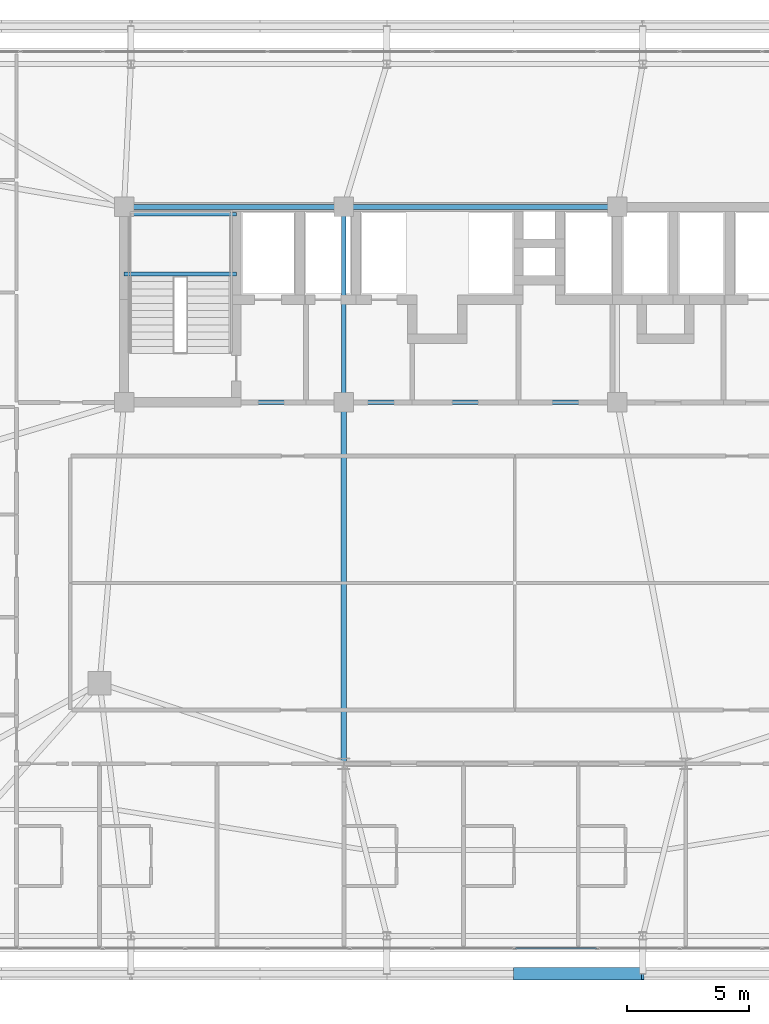
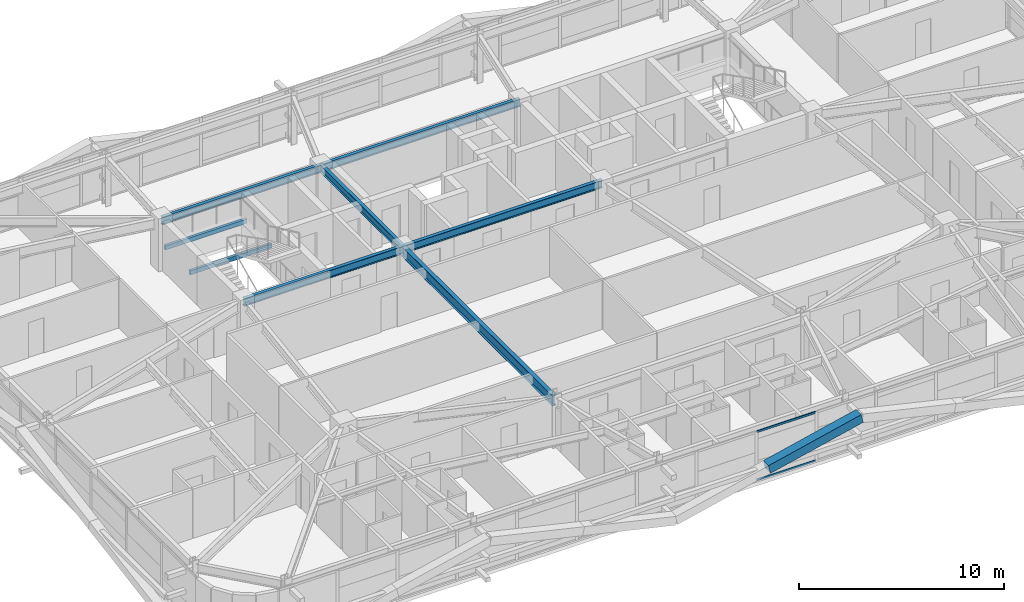
# One storey, part 19 of 59: 8 beams, 3 members, 1 element without a shape of its own.
"""IFC4 building model written with IfcOpenShell, lengths in metres."""

from ifc_helpers import new_model, si_unit, direction, frame, origin, origin_2d, place, context, subcontext, project, spatial, hollow_rectangle, i_section, extrude, source, transform, mapped, material, layer, layer_set, material_profile, profile_set, type_object, element, aggregate, save


model = new_model("IFC4")

# Units and contexts
model_context = context("Model", 3, precision=1e-05, world=origin(), true_north=direction((0.0, 1.0)))
body_context = subcontext(model_context, "Body", "Model", "MODEL_VIEW")
ifc_project = project(units=[si_unit("LENGTHUNIT", "METRE"), si_unit("AREAUNIT", "SQUARE_METRE"), si_unit("VOLUMEUNIT", "CUBIC_METRE"), si_unit("PLANEANGLEUNIT", "RADIAN"), si_unit("MASSUNIT", "GRAM", prefix="KILO")], contexts=[model_context])

# Site, building, storey
site_placement = place(None, origin())
site = spatial("IfcSite", under=ifc_project, at=site_placement, CompositionType="ELEMENT")
building_placement = place(site_placement, origin())
building = spatial("IfcBuilding", under=site, at=building_placement, Name="Taldren Reach Tower", CompositionType="ELEMENT")
storey_placement = place(building_placement, frame((0.0, 0.0, 23.10009765625)))
storey = spatial("IfcBuildingStorey", under=building, at=storey_placement, Name="L06", CompositionType="ELEMENT", Elevation=23.10009765625)

# Beams
ifc_material_1 = material(Name="Steel Gr 350 (350PLUS)", Category="steel")
ifc_material_profile_1 = material_profile(ifc_material_1, i_section(OverallWidth=0.19091796875, OverallDepth=0.4599609375, WebThickness=0.010009765625, FlangeThickness=0.01611328125, at=origin_2d()), Name="460UB82.1")
ifc_profile_set_1 = profile_set([ifc_material_profile_1], Name="Steel Gr 350 (350PLUS)")
beam_type_1 = type_object("IfcBeamType", Name="BM-UB460A", PredefinedType="BEAM", material=ifc_profile_set_1)
shared_shape_1 = source(origin(), body_context, "Body", "SweptSolid", [
    extrude(i_section(OverallWidth=0.19091796875, OverallDepth=0.4599609375, WebThickness=0.010009765625, FlangeThickness=0.01611328125, at=origin_2d()), origin(), (0.0, 0.0, 1.0), 9.0),
])
for number, where, z_axis, x_axis, name in (
    (1, (19.0, 24.0, 2.699951171875), (1.0, 0.0, 0.0), (0.0, 1.0, 0.0), "Core-spine girder L06-SP01"),
    (2, (19.0, 32.0, 2.699951171875), (1.0, 0.0, 0.0), (0.0, 1.0, 0.0), "Core-spine girder L06-SP04"),
):
    element("IfcBeam", number, at=place(storey_placement, frame(where, z_axis=z_axis, x_axis=x_axis)), inside=storey, type_object=beam_type_1, Name=name, PredefinedType="BEAM", context=body_context, shape_type="MappedRepresentation", body=[
        mapped(shared_shape_1, transform((0.0, 0.0, 0.0), scale=1.0)),
    ])
shared_shape_2 = source(origin(), body_context, "Body", "SweptSolid", [
    extrude(i_section(OverallWidth=0.19091796875, OverallDepth=0.4599609375, WebThickness=0.010009765625, FlangeThickness=0.01611328125, at=origin_2d()), origin(), (0.0, 0.0, 1.0), 11.199951171875),
])
for number, where, z_axis, x_axis, name in (
    (3, (28.0, 24.0, 2.699951171875), (1.0, 0.0, 0.0), (0.0, 1.0, 0.0), "Core-spine girder L06-SP02"),
    (4, (28.0, 32.0, 2.699951171875), (1.0, 0.0, 0.0), (0.0, 1.0, 0.0), "Core-spine girder L06-SP05"),
):
    element("IfcBeam", number, at=place(storey_placement, frame(where, z_axis=z_axis, x_axis=x_axis)), inside=storey, type_object=beam_type_1, Name=name, PredefinedType="BEAM", context=body_context, shape_type="MappedRepresentation", body=[
        mapped(shared_shape_2, transform((0.0, 0.0, 0.0), scale=1.0)),
    ])
shared_shape_3 = source(origin(), body_context, "Body", "SweptSolid", [
    extrude(i_section(OverallWidth=0.19091796875, OverallDepth=0.4599609375, WebThickness=0.010009765625, FlangeThickness=0.01611328125, at=origin_2d()), origin(), (0.0, 0.0, 1.0), 8.0),
])
beam_1_placement = place(storey_placement, frame((28.0, 24.0, 2.699951171875), z_axis=(0.0, 1.0, 0.0), x_axis=(-1.0, 0.0, 0.0)))
element("IfcBeam", 5, at=beam_1_placement, inside=storey, type_object=beam_type_1, Name="Core-spine girder L06-SP07", PredefinedType="BEAM", context=body_context, shape_type="MappedRepresentation", body=[
    mapped(shared_shape_3, transform((0.0, 0.0, 0.0), scale=1.0)),
])
ifc_material_profile_2 = material_profile(ifc_material_1, i_section(OverallWidth=0.22802734375, OverallDepth=0.60205078125, WebThickness=0.010498046875, FlangeThickness=0.014892578125, at=origin_2d()), Name="610UB101")
ifc_profile_set_2 = profile_set([ifc_material_profile_2], Name="Steel Gr 350 (350PLUS)")
beam_type_2 = type_object("IfcBeamType", Name="BM-UB610B", PredefinedType="BEAM", material=ifc_profile_set_2)
shared_shape_4 = source(origin(), body_context, "Body", "SweptSolid", [
    extrude(i_section(OverallWidth=0.22802734375, OverallDepth=0.60205078125, WebThickness=0.010498046875, FlangeThickness=0.014892578125, at=origin_2d()), origin(), (0.0, 0.0, 1.0), 14.800048828125),
])
beam_2_placement = place(storey_placement, frame((28.0, 24.0, 2.62890625), z_axis=(0.0, -1.0, 0.0), x_axis=(1.0, 0.0, 0.0)))
element("IfcBeam", 6, at=beam_2_placement, inside=storey, type_object=beam_type_2, Name="Core-spine girder L06-SP14", PredefinedType="BEAM", context=body_context, shape_type="MappedRepresentation", body=[
    mapped(shared_shape_4, transform((0.0, 0.0, 0.0), scale=1.0)),
])

# Member
ifc_material_2 = material(Name="Steel Gr 450 (C450L0)", Category="steel")
ifc_material_profile_3 = material_profile(ifc_material_2, hollow_rectangle(XDim=0.510009765625, YDim=0.510009765625, WallThickness=0.02001953125, at=origin_2d()), Name="510x510x20.0SHS")
ifc_profile_set_3 = profile_set([ifc_material_profile_3], Name="Steel Gr 450 (C450L0)")
member_type_1 = type_object("IfcMemberType", Name="MB-EXO508", PredefinedType="BRACE", material=ifc_profile_set_3)
shared_shape_5 = source(origin(), body_context, "Body", "SweptSolid", [
    extrude(hollow_rectangle(XDim=0.510009765625, YDim=0.510009765625, WallThickness=0.02001953125, at=origin_2d()), origin(), (0.0, 0.0, 1.0), 5.37890625),
])
member_1_placement = place(storey_placement, frame((35.0, 0.60009765625, 1.434814453125), z_axis=(0.97415197996, 0.0, 0.225893603143), x_axis=(0.0, 1.0, 0.0)))
element("IfcMember", 7, at=member_1_placement, inside=storey, type_object=member_type_1, Name="Exoskeleton Diagrid Brace B1-S3 L06", PredefinedType="BRACE", context=body_context, shape_type="MappedRepresentation", body=[
    mapped(shared_shape_5, transform((0.0, 0.0, 0.0), scale=1.0)),
])

# Curtain wall, members
ifc_material_3 = material(Name="Aluminium and Low-E Glass Unitised System", Category="aluminium")
ifc_layer = layer(ifc_material_3, 0.159912109375)
ifc_layer_set = layer_set([ifc_layer], Name="Aluminium and Low-E Glass Unitised System")
curtain_wall_type = type_object("IfcCurtainWallType", Name="CW-SYS-2", PredefinedType="NOTDEFINED", material=ifc_layer_set)
curtain_wall_placement = place(storey_placement, origin())
curtain_wall = element("IfcCurtainWall", 8, at=curtain_wall_placement, inside=storey, type_object=curtain_wall_type, Name="Unitised curtain wall CW-L06-S", PredefinedType="NOTDEFINED")
ifc_material_4 = material(Name="Anodised Aluminium 6063-T6", Category="aluminium")
ifc_material_profile_4 = material_profile(ifc_material_4, hollow_rectangle(XDim=0.054931640625, YDim=0.1201171875, WallThickness=0.0029296875, at=origin_2d()), Name="ALU-120x55x3RHS")
ifc_profile_set_4 = profile_set([ifc_material_profile_4], Name="Anodised Aluminium 6063-T6")
member_type_2 = type_object("IfcMemberType", Name="CW-TRN-135", PredefinedType="USERDEFINED", material=ifc_profile_set_4)
shared_shape_6 = source(origin(), body_context, "Body", "SweptSolid", [
    extrude(hollow_rectangle(XDim=0.054931640625, YDim=0.1201171875, WallThickness=0.0029296875, at=origin_2d()), origin(), (0.0, 0.0, 1.0), 3.31005859375),
])
member_2_placement = place(storey_placement, frame((35.032470703125, 1.639892578125, 0.02734375), z_axis=(1.0, 0.0, 0.0), x_axis=(0.0, 1.0, 0.0)))
member_2 = element("IfcMember", 9, at=member_2_placement, type_object=member_type_2, Name="CW-2 transom 9.1", ObjectType="TRANSOM", PredefinedType="USERDEFINED", context=body_context, shape_type="MappedRepresentation", body=[
    mapped(shared_shape_6, transform((0.0, 0.0, 0.0), scale=1.0)),
])
member_3_placement = place(storey_placement, frame((35.032470703125, 1.639892578125, 2.90234375), z_axis=(1.0, 0.0, 0.0), x_axis=(0.0, 1.0, 0.0)))
member_3 = element("IfcMember", 10, at=member_3_placement, type_object=member_type_2, Name="CW-2 transom 9.2", ObjectType="TRANSOM", PredefinedType="USERDEFINED", context=body_context, shape_type="MappedRepresentation", body=[
    mapped(shared_shape_6, transform((0.0, 0.0, 0.0), scale=1.0)),
])
aggregate(curtain_wall, [member_2, member_3])

# Beams
ifc_material_5 = material(Name="Steel Gr 350 (C350L0)", Category="steel")
ifc_material_profile_5 = material_profile(ifc_material_5, hollow_rectangle(XDim=0.14990234375, YDim=0.25, WallThickness=0.009033203125, at=origin_2d()), Name="250x150x9.0RHS")
ifc_profile_set_5 = profile_set([ifc_material_profile_5], Name="Steel Gr 350 (C350L0)")
beam_type_3 = type_object("IfcBeamType", Name="LN-RHS250", PredefinedType="LINTEL", material=ifc_profile_set_5)
shared_shape_7 = source(origin(), body_context, "Body", "SweptSolid", [
    extrude(hollow_rectangle(XDim=0.14990234375, YDim=0.25, WallThickness=0.009033203125, at=origin_2d()), origin(), (0.0, 0.0, 1.0), 4.60009765625),
])
for number, where, z_axis, x_axis, name in (
    (11, (19.0, 29.2548828125, 1.27001953125), (1.0, 0.0, 0.0), (0.0, 1.0, 0.0), "Stair half-landing support beam ST1-L06-1"),
    (12, (19.0, 31.699951171875, 1.27001953125), (1.0, 0.0, 0.0), (0.0, 1.0, 0.0), "Stair half-landing support beam ST1-L06-2"),
):
    element("IfcBeam", number, at=place(storey_placement, frame(where, z_axis=z_axis, x_axis=x_axis)), inside=storey, type_object=beam_type_3, Name=name, PredefinedType="LINTEL", context=body_context, shape_type="MappedRepresentation", body=[
        mapped(shared_shape_7, transform((0.0, 0.0, 0.0), scale=1.0)),
    ])

save(model, "model.ifc")
